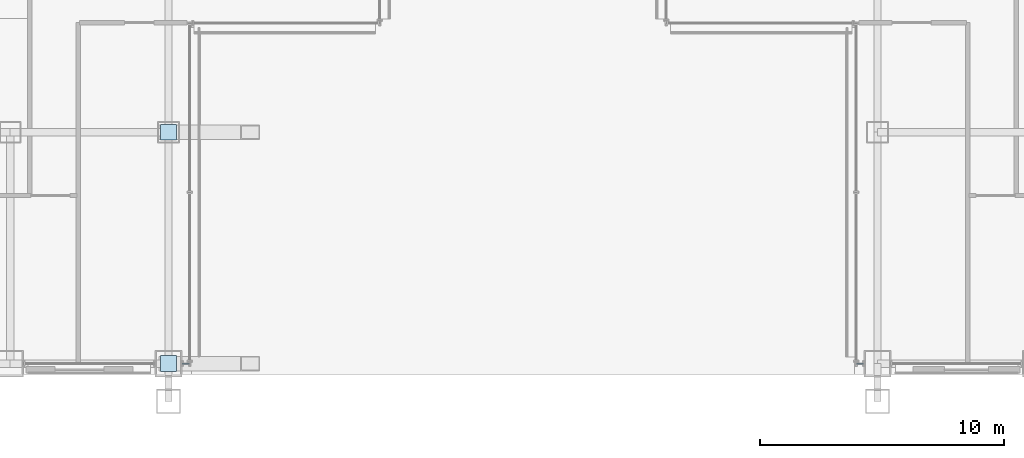
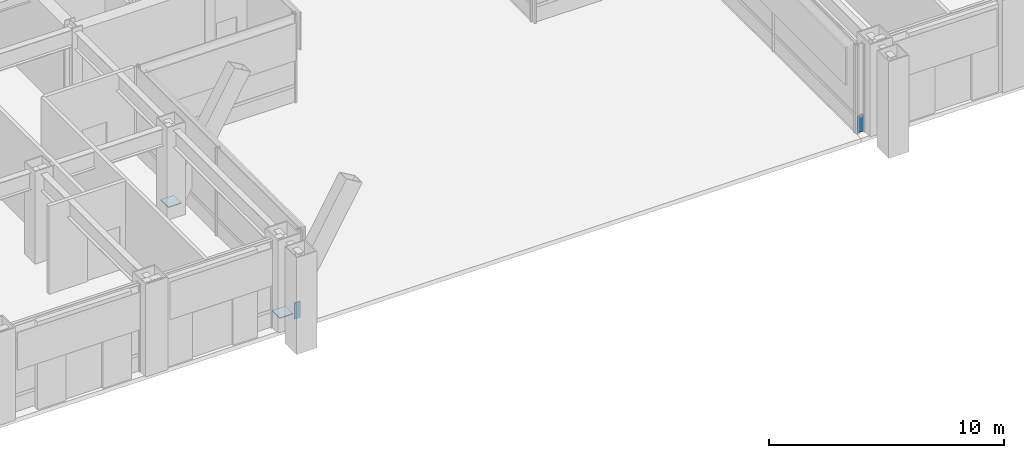
# One storey, part 28 of 37: 4 plates, 2 elements without a shape of their own.
"""IFC4 building model written with IfcOpenShell, lengths in metres."""

from ifc_helpers import new_model, si_unit, direction, frame, origin, origin_2d, place, context, subcontext, project, spatial, rectangle, extrude, material, layer, layer_set, type_object, element, aggregate, save


model = new_model("IFC4")

# Units and contexts
model_context = context("Model", 3, precision=1e-05, world=origin(), true_north=direction((0.0, 1.0)))
body_context = subcontext(model_context, "Body", "Model", "MODEL_VIEW")
ifc_project = project(units=[si_unit("LENGTHUNIT", "METRE"), si_unit("AREAUNIT", "SQUARE_METRE"), si_unit("VOLUMEUNIT", "CUBIC_METRE"), si_unit("PLANEANGLEUNIT", "RADIAN"), si_unit("MASSUNIT", "GRAM", prefix="KILO")], contexts=[model_context])

# Site, building, storey
site_placement = place(None, origin())
site = spatial("IfcSite", under=ifc_project, at=site_placement, CompositionType="ELEMENT")
building_placement = place(site_placement, origin())
building = spatial("IfcBuilding", under=site, at=building_placement, Name="Brelmoor Portico Tower", CompositionType="ELEMENT")
storey_placement = place(building_placement, origin())
storey = spatial("IfcBuildingStorey", under=building, at=storey_placement, Name="L00", CompositionType="ELEMENT", Elevation=0.0)

# Plates
ifc_material_1 = material(Name="Steel Q355B", Category="steel")
ifc_layer_1 = layer(ifc_material_1, 0.044921875)
ifc_layer_set_1 = layer_set([ifc_layer_1], Name="Steel Q355B")
plate_type_1 = type_object("IfcPlateType", Name="PT-CAP-650", PredefinedType="SHEET", material=ifc_layer_set_1)
for number, where, z_axis, x_axis, name in (
    (1, (-14.550048828125, -27.550048828125, 0.527587890625), (0.0, 0.0, 1.0), (1.0, 0.0, 0.0), "Giant Portico Arch Rib S1-1 Joint Cap Plate 1"),
    (2, (-14.550048828125, -18.050048828125, 0.527587890625), (0.0, 0.0, 1.0), (1.0, 0.0, 0.0), "Giant Portico Arch Rib S2-1 Joint Cap Plate 1"),
):
    element("IfcPlate", number, at=place(storey_placement, frame(where, z_axis=z_axis, x_axis=x_axis)), inside=storey, type_object=plate_type_1, Name=name, PredefinedType="SHEET", context=body_context, shape_type="SweptSolid", body=[
        extrude(rectangle(XDim=0.64990234375, YDim=0.64990234375, at=origin_2d()), origin(), (0.0, 0.0, 1.0), 0.044921875),
    ])

# Curtain wall, plate
ifc_material_2 = material(Name="Anodised Aluminium Alloy 6063-T6", Category="aluminium")
ifc_layer_2 = layer(ifc_material_2, 0.179931640625)
ifc_layer_set_2 = layer_set([ifc_layer_2], Name="Anodised Aluminium Alloy 6063-T6")
curtain_wall_type = type_object("IfcCurtainWallType", Name="CW-PODIUM-ARCH", PredefinedType="NOTDEFINED", material=ifc_layer_set_2)
curtain_wall_1_placement = place(storey_placement, origin())
curtain_wall_1 = element("IfcCurtainWall", 3, at=curtain_wall_1_placement, inside=storey, type_object=curtain_wall_type, Name="L00 Curtain Wall CW-L00-01-3", PredefinedType="NOTDEFINED")
ifc_material_3 = material(Name="Pale Champagne Anodised Aluminium Panel", Category="aluminium")
ifc_layer_3 = layer(ifc_material_3, 0.050048828125)
ifc_layer_set_3 = layer_set([ifc_layer_3], Name="Pale Champagne Anodised Aluminium Panel")
plate_type_2 = type_object("IfcPlateType", Name="PT-CW-SPANDREL", PredefinedType="SHEET", material=ifc_layer_set_3)
plate_1_placement = place(storey_placement, frame((-13.8349609375, -27.550048828125, 0.0), z_axis=(0.0, 0.0, 1.0), x_axis=(1.0, 0.0, 0.0)))
plate_1 = element("IfcPlate", 4, at=plate_1_placement, type_object=plate_type_2, Name="CW-L00-01-3 Spandrel Panel 00", PredefinedType="SHEET", context=body_context, shape_type="SweptSolid", body=[
    extrude(rectangle(XDim=0.280029296875, YDim=0.050048828125, at=origin_2d()), origin(), (0.0, 0.0, 1.0), 0.85009765625),
])
aggregate(curtain_wall_1, [plate_1])

curtain_wall_2_placement = place(storey_placement, origin())
curtain_wall_2 = element("IfcCurtainWall", 5, at=curtain_wall_2_placement, inside=storey, type_object=curtain_wall_type, Name="L00 Curtain Wall CW-L00-02-1", PredefinedType="NOTDEFINED")
plate_2_placement = place(storey_placement, frame((13.8349609375, -27.550048828125, 0.0), z_axis=(0.0, 0.0, 1.0), x_axis=(1.0, 0.0, 0.0)))
plate_2 = element("IfcPlate", 6, at=plate_2_placement, type_object=plate_type_2, Name="CW-L00-02-1 Spandrel Panel 00", PredefinedType="SHEET", context=body_context, shape_type="SweptSolid", body=[
    extrude(rectangle(XDim=0.280029296875, YDim=0.050048828125, at=origin_2d()), origin(), (0.0, 0.0, 1.0), 0.85009765625),
])
aggregate(curtain_wall_2, [plate_2])

save(model, "model.ifc")
